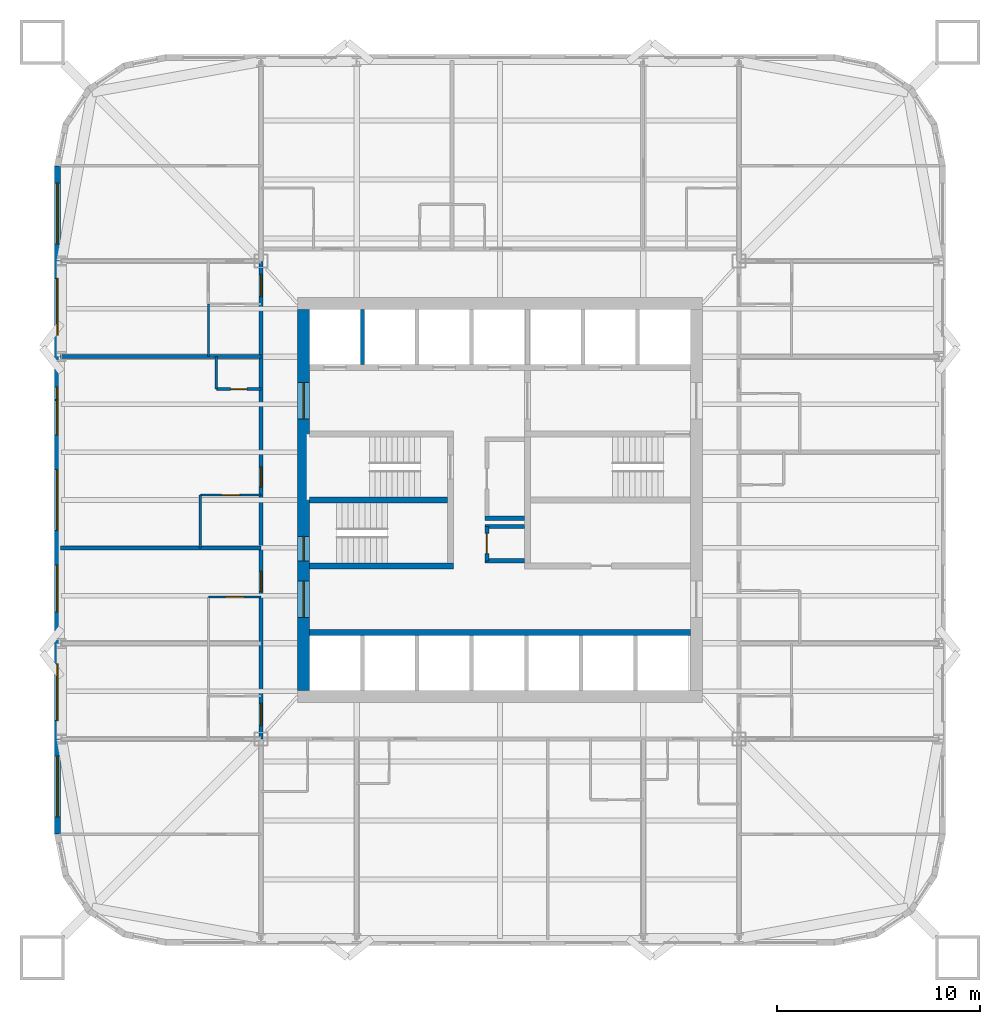
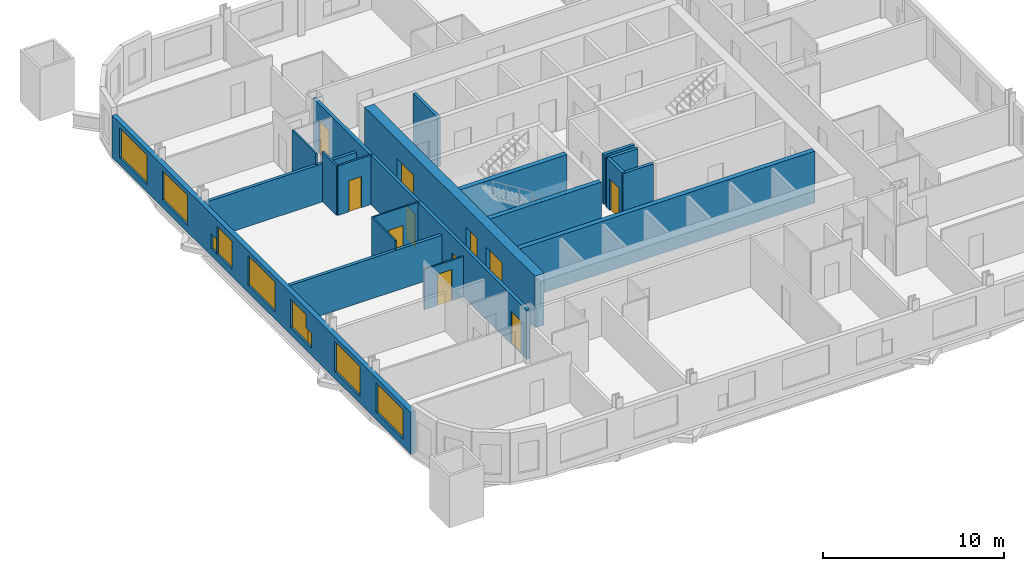
# One storey, part 4 of 10: 19 walls, 11 doors, 9 windows, 20 openings.
"""IFC4 building model written with IfcOpenShell, lengths in metres."""

from ifc_helpers import new_model, si_unit, direction, frame, frame_2d, origin, place, context, subcontext, project, spatial, rectangle, extrude, material, layer, layer_set, type_object, element, fill, save


model = new_model("IFC4")

# Units and contexts
model_context = context("Model", 3, precision=1e-05, world=origin(), true_north=direction((0.0, 1.0)))
body_context = subcontext(model_context, "Body", "Model", "MODEL_VIEW")
ifc_project = project(units=[si_unit("LENGTHUNIT", "METRE"), si_unit("AREAUNIT", "SQUARE_METRE"), si_unit("VOLUMEUNIT", "CUBIC_METRE"), si_unit("PLANEANGLEUNIT", "RADIAN"), si_unit("MASSUNIT", "GRAM", prefix="KILO")], contexts=[model_context])

# Site, building, storey
site_placement = place(None, origin())
site = spatial("IfcSite", under=ifc_project, at=site_placement, CompositionType="ELEMENT")
building_placement = place(site_placement, origin())
building = spatial("IfcBuilding", under=site, at=building_placement, Name="Turquesa Mirador Hotel Tower", CompositionType="ELEMENT")
storey_placement = place(building_placement, frame((0.0, 0.0, 46.0)))
storey = spatial("IfcBuildingStorey", under=building, at=storey_placement, Name="L11", CompositionType="ELEMENT", Elevation=46.0)

# Wall, opening, door
ifc_material_1 = material(Name="Gypsum board on steel studs", Category="steel")
ifc_layer_1 = layer(ifc_material_1, 0.10009765625)
ifc_layer_set_1 = layer_set([ifc_layer_1], Name="BATHROOM WALL 100")
wall_type_1 = type_object("IfcWallType", Name="BATHROOM WALL 100", PredefinedType="PARTITIONING", material=ifc_layer_set_1)
wall_1_placement = place(storey_placement, frame((40.60009765625, 40.219970703125, 0.0), z_axis=(0.0, 0.0, 1.0), x_axis=(1.0, 0.0, 0.0)))
wall_1 = element("IfcWall", 1, at=wall_1_placement, inside=storey, type_object=wall_type_1, Name="Partition L11 013", PredefinedType="PARTITIONING", context=body_context, shape_type="SweptSolid", body=[
    extrude(rectangle(XDim=2.599853515625, YDim=0.10009765625, at=frame_2d((1.2998046875, 0.0))), origin(), (0.0, 0.0, 1.0), 2.722900390625),
])
opening_1_placement = place(wall_1_placement, frame((0.85009765625, 0.0, 0.0)))
opening_1 = element("IfcOpeningElement", 2, at=opening_1_placement, cuts=wall_1, Name="Opening D02", PredefinedType="OPENING", context=body_context, shape_type="SweptSolid", body=[
    extrude(rectangle(XDim=0.89990234375, YDim=2.10009765625, at=frame_2d((0.449951171875, 1.050048828125))), frame((0.0, 0.06005859375, 0.0), z_axis=(0.0, -1.0, 0.0), x_axis=(1.0, 0.0, 0.0)), (0.0, 0.0, 1.0), 0.1201171875),
])
ifc_material_2 = material(Name="Timber veneered door", Category="wood")
door_type_1 = type_object("IfcDoorType", Name="DOOR 900X2100 EN-SUITE", OperationType="SINGLE_SWING_RIGHT", PredefinedType="DOOR", material=ifc_material_2)
door_1_placement = place(opening_1_placement, origin())
door_1 = element("IfcDoor", 3, at=door_1_placement, inside=storey, type_object=door_type_1, Name="Door 1108B", OperationType="SINGLE_SWING_RIGHT", OverallHeight=2.10009765625, OverallWidth=0.89990234375, PredefinedType="DOOR", context=body_context, shape_type="SweptSolid", body=[
    extrude(rectangle(XDim=0.89990234375, YDim=2.10009765625, at=frame_2d((0.449951171875, 1.050048828125))), frame((0.0, 0.02490234375, 0.0), z_axis=(0.0, -1.0, 0.0), x_axis=(1.0, 0.0, 0.0)), (0.0, 0.0, 1.0), 0.050048828125),
])
fill(opening_1, door_1)

wall_2_placement = place(storey_placement, frame((40.199951171875, 45.239990234375, 0.0), z_axis=(0.0, 0.0, 1.0), x_axis=(1.0, 0.0, 0.0)))
wall_2 = element("IfcWall", 4, at=wall_2_placement, inside=storey, type_object=wall_type_1, Name="Partition L11 018", PredefinedType="PARTITIONING", context=body_context, shape_type="SweptSolid", body=[
    extrude(rectangle(XDim=3.0, YDim=0.10009765625, at=frame_2d((1.5, 0.0))), origin(), (0.0, 0.0, 1.0), 3.330078125),
])
opening_2_placement = place(wall_2_placement, frame((1.050048828125, 0.0, 0.0)))
opening_2 = element("IfcOpeningElement", 5, at=opening_2_placement, cuts=wall_2, Name="Opening D02", PredefinedType="OPENING", context=body_context, shape_type="SweptSolid", body=[
    extrude(rectangle(XDim=0.89990234375, YDim=2.10009765625, at=frame_2d((0.449951171875, 1.050048828125))), frame((0.0, 0.06005859375, 0.0), z_axis=(0.0, -1.0, 0.0), x_axis=(1.0, 0.0, 0.0)), (0.0, 0.0, 1.0), 0.1201171875),
])
door_2_placement = place(opening_2_placement, origin())
door_2 = element("IfcDoor", 6, at=door_2_placement, inside=storey, type_object=door_type_1, Name="Door 1109B", OperationType="SINGLE_SWING_RIGHT", OverallHeight=2.10009765625, OverallWidth=0.89990234375, PredefinedType="DOOR", context=body_context, shape_type="SweptSolid", body=[
    extrude(rectangle(XDim=0.89990234375, YDim=2.10009765625, at=frame_2d((0.449951171875, 1.050048828125))), frame((0.0, 0.02490234375, 0.0), z_axis=(0.0, -1.0, 0.0), x_axis=(1.0, 0.0, 0.0)), (0.0, 0.0, 1.0), 0.050048828125),
])
fill(opening_2, door_2)

# Walls
wall_3_placement = place(storey_placement, frame((40.60009765625, 52.080078125, 0.0), z_axis=(0.0, 0.0, 1.0), x_axis=(0.0, 1.0, 0.0)))
element("IfcWall", 7, at=wall_3_placement, inside=storey, type_object=wall_type_1, Name="Partition L11 042", PredefinedType="PARTITIONING", context=body_context, shape_type="SweptSolid", body=[
    extrude(rectangle(XDim=2.599853515625, YDim=0.10009765625, at=frame_2d((1.2998046875, 0.0))), origin(), (0.0, 0.0, 1.0), 3.330078125),
])
wall_4_placement = place(storey_placement, frame((40.199951171875, 42.639892578125, 0.0), z_axis=(0.0, 0.0, 1.0), x_axis=(0.0, 1.0, 0.0)))
element("IfcWall", 8, at=wall_4_placement, inside=storey, type_object=wall_type_1, Name="Partition L11 045", PredefinedType="PARTITIONING", context=body_context, shape_type="SweptSolid", body=[
    extrude(rectangle(XDim=2.60009765625, YDim=0.10009765625, at=frame_2d((1.300048828125, 0.0))), origin(), (0.0, 0.0, 1.0), 3.330078125),
])
ifc_material_3 = material(Name="Concrete C50/60", Category="concrete")
ifc_layer_2 = layer(ifc_material_3, 0.300048828125)
ifc_layer_set_2 = layer_set([ifc_layer_2], Name="CORE INNER WALL 300")
wall_type_2 = type_object("IfcWallType", Name="CORE INNER WALL 300", PredefinedType="SHEAR", material=ifc_layer_set_2)
wall_5_placement = place(storey_placement, frame((45.60009765625, 38.449951171875, 0.0), z_axis=(0.0, 0.0, 1.0), x_axis=(1.0, 0.0, 0.0)))
element("IfcWall", 9, at=wall_5_placement, inside=storey, type_object=wall_type_2, Name="Core wall SL", PredefinedType="SHEAR", context=body_context, shape_type="SweptSolid", body=[
    extrude(rectangle(XDim=18.7998046875, YDim=0.300048828125, at=frame_2d((9.39990234375, 0.0))), origin(), (0.0, 0.0, 1.0), 3.5),
])
wall_6_placement = place(storey_placement, frame((45.60009765625, 41.75, 0.0), z_axis=(0.0, 0.0, 1.0), x_axis=(1.0, 0.0, 0.0)))
element("IfcWall", 10, at=wall_6_placement, inside=storey, type_object=wall_type_2, Name="Core wall MS-W", PredefinedType="SHEAR", context=body_context, shape_type="SweptSolid", body=[
    extrude(rectangle(XDim=7.099853515625, YDim=0.300048828125, at=frame_2d((3.5498046875, 0.0))), origin(), (0.0, 0.0, 1.0), 3.5),
])
wall_7_placement = place(storey_placement, frame((45.60009765625, 45.0, 0.0), z_axis=(0.0, 0.0, 1.0), x_axis=(1.0, 0.0, 0.0)))
element("IfcWall", 11, at=wall_7_placement, inside=storey, type_object=wall_type_2, Name="Core wall M0-W", PredefinedType="SHEAR", context=body_context, shape_type="SweptSolid", body=[
    extrude(rectangle(XDim=6.7998046875, YDim=0.300048828125, at=frame_2d((3.39990234375, 0.0))), origin(), (0.0, 0.0, 1.0), 3.5),
])

# Wall, openings, doors
ifc_material_4 = material(Name="Concrete C50/60", Category="concrete")
ifc_layer_3 = layer(ifc_material_4, 0.60009765625)
ifc_layer_set_3 = layer_set([ifc_layer_3], Name="CORE WALL 600")
wall_type_3 = type_object("IfcWallType", Name="CORE WALL 600", PredefinedType="SHEAR", material=ifc_layer_set_3)
wall_8_placement = place(storey_placement, frame((45.300048828125, 35.60009765625, 0.0), z_axis=(0.0, 0.0, 1.0), x_axis=(0.0, 1.0, 0.0)))
wall_8 = element("IfcWall", 12, at=wall_8_placement, inside=storey, type_object=wall_type_3, Name="Core wall W", PredefinedType="SHEAR", context=body_context, shape_type="SweptSolid", body=[
    extrude(rectangle(XDim=18.7998046875, YDim=0.60009765625, at=frame_2d((9.39990234375, 0.0))), origin(), (0.0, 0.0, 1.0), 3.5),
])
opening_3_placement = place(wall_8_placement, frame((13.39990234375, 0.0, 0.0)))
opening_3 = element("IfcOpeningElement", 13, at=opening_3_placement, cuts=wall_8, Name="Opening D04", PredefinedType="OPENING", context=body_context, shape_type="SweptSolid", body=[
    extrude(rectangle(XDim=1.800048828125, YDim=2.199951171875, at=frame_2d((0.89990234375, 1.10009765625))), frame((0.0, 0.31005859375, 0.0), z_axis=(0.0, -1.0, 0.0), x_axis=(1.0, 0.0, 0.0)), (0.0, 0.0, 1.0), 0.6201171875),
])
opening_4_placement = place(wall_8_placement, frame((3.60009765625, 0.0, 0.0)))
opening_4 = element("IfcOpeningElement", 14, at=opening_4_placement, cuts=wall_8, Name="Opening D04", PredefinedType="OPENING", context=body_context, shape_type="SweptSolid", body=[
    extrude(rectangle(XDim=1.800048828125, YDim=2.199951171875, at=frame_2d((0.89990234375, 1.10009765625))), frame((0.0, 0.31005859375, 0.0), z_axis=(0.0, -1.0, 0.0), x_axis=(1.0, 0.0, 0.0)), (0.0, 0.0, 1.0), 0.6201171875),
])
opening_5_placement = place(wall_8_placement, frame((6.39990234375, 0.0, 0.0)))
opening_5 = element("IfcOpeningElement", 15, at=opening_5_placement, cuts=wall_8, Name="Opening D03", PredefinedType="OPENING", context=body_context, shape_type="SweptSolid", body=[
    extrude(rectangle(XDim=1.199951171875, YDim=2.199951171875, at=frame_2d((0.60009765625, 1.10009765625))), frame((0.0, 0.31005859375, 0.0), z_axis=(0.0, -1.0, 0.0), x_axis=(1.0, 0.0, 0.0)), (0.0, 0.0, 1.0), 0.6201171875),
])
ifc_material_5 = material(Name="Steel fire door", Category="steel")
door_type_2 = type_object("IfcDoorType", Name="DOOR 1200X2200 STAIR", OperationType="SINGLE_SWING_LEFT", PredefinedType="DOOR", material=ifc_material_5)
door_3_placement = place(opening_5_placement, origin())
door_3 = element("IfcDoor", 16, at=door_3_placement, inside=storey, type_object=door_type_2, Name="Stair ST2 door", OperationType="SINGLE_SWING_LEFT", OverallHeight=2.199951171875, OverallWidth=1.199951171875, PredefinedType="DOOR", context=body_context, shape_type="SweptSolid", body=[
    extrude(rectangle(XDim=1.199951171875, YDim=2.199951171875, at=frame_2d((0.60009765625, 1.10009765625))), frame((0.0, 0.02490234375, 0.0), z_axis=(0.0, -1.0, 0.0), x_axis=(1.0, 0.0, 0.0)), (0.0, 0.0, 1.0), 0.050048828125),
])
fill(opening_5, door_3)
ifc_material_6 = material(Name="Steel fire door pair", Category="steel")
door_type_3 = type_object("IfcDoorType", Name="DOOR 1800X2200 PAIR", OperationType="DOUBLE_DOOR_SINGLE_SWING", PredefinedType="DOOR", material=ifc_material_6)
door_4_placement = place(opening_3_placement, origin())
door_4 = element("IfcDoor", 17, at=door_4_placement, inside=storey, type_object=door_type_3, Name="North lift lobby door", OperationType="DOUBLE_DOOR_SINGLE_SWING", OverallHeight=2.199951171875, OverallWidth=1.800048828125, PredefinedType="DOOR", context=body_context, shape_type="SweptSolid", body=[
    extrude(rectangle(XDim=1.800048828125, YDim=2.199951171875, at=frame_2d((0.89990234375, 1.10009765625))), frame((0.0, 0.02490234375, 0.0), z_axis=(0.0, -1.0, 0.0), x_axis=(1.0, 0.0, 0.0)), (0.0, 0.0, 1.0), 0.050048828125),
])
fill(opening_3, door_4)
door_5_placement = place(opening_4_placement, origin())
door_5 = element("IfcDoor", 18, at=door_5_placement, inside=storey, type_object=door_type_3, Name="South lift lobby door", OperationType="DOUBLE_DOOR_SINGLE_SWING", OverallHeight=2.199951171875, OverallWidth=1.800048828125, PredefinedType="DOOR", context=body_context, shape_type="SweptSolid", body=[
    extrude(rectangle(XDim=1.800048828125, YDim=2.199951171875, at=frame_2d((0.89990234375, 1.10009765625))), frame((0.0, 0.02490234375, 0.0), z_axis=(0.0, -1.0, 0.0), x_axis=(1.0, 0.0, 0.0)), (0.0, 0.0, 1.0), 0.050048828125),
])
fill(opening_4, door_5)

ifc_material_7 = material(Name="Fire-rated gypsum board on steel studs", Category="steel")
ifc_layer_4 = layer(ifc_material_7, 0.199951171875)
ifc_layer_set_4 = layer_set([ifc_layer_4], Name="CORRIDOR WALL 200")
wall_type_4 = type_object("IfcWallType", Name="CORRIDOR WALL 200", PredefinedType="PARTITIONING", material=ifc_layer_set_4)
wall_9_placement = place(storey_placement, frame((43.199951171875, 33.199951171875, 0.0), z_axis=(0.0, 0.0, 1.0), x_axis=(0.0, 1.0, 0.0)))
wall_9 = element("IfcWall", 19, at=wall_9_placement, inside=storey, type_object=wall_type_4, Name="Partition L11 037", PredefinedType="PARTITIONING", context=body_context, shape_type="SweptSolid", body=[
    extrude(rectangle(XDim=23.580078125, YDim=0.199951171875, at=frame_2d((11.7900390625, 0.0))), origin(), (0.0, 0.0, 1.0), 3.330078125),
])
opening_6_placement = place(wall_9_placement, frame((7.27001953125, 0.0, 0.0)))
opening_6 = element("IfcOpeningElement", 20, at=opening_6_placement, cuts=wall_9, Name="Opening D01", PredefinedType="OPENING", context=body_context, shape_type="SweptSolid", body=[
    extrude(rectangle(XDim=1.0, YDim=2.199951171875, at=frame_2d((0.5, 1.10009765625))), frame((0.0, 0.10986328125, 0.0), z_axis=(0.0, -1.0, 0.0), x_axis=(1.0, 0.0, 0.0)), (0.0, 0.0, 1.0), 0.219970703125),
])
opening_7_placement = place(wall_9_placement, frame((12.43994140625, 0.0, 0.0)))
opening_7 = element("IfcOpeningElement", 21, at=opening_7_placement, cuts=wall_9, Name="Opening D01", PredefinedType="OPENING", context=body_context, shape_type="SweptSolid", body=[
    extrude(rectangle(XDim=1.0, YDim=2.199951171875, at=frame_2d((0.5, 1.10009765625))), frame((0.0, 0.10986328125, 0.0), z_axis=(0.0, -1.0, 0.0), x_axis=(1.0, 0.0, 0.0)), (0.0, 0.0, 1.0), 0.219970703125),
])
opening_8_placement = place(wall_9_placement, frame((21.840087890625, 0.0, 0.0)))
opening_8 = element("IfcOpeningElement", 22, at=opening_8_placement, cuts=wall_9, Name="Opening D15", PredefinedType="OPENING", context=body_context, shape_type="SweptSolid", body=[
    extrude(rectangle(XDim=1.10009765625, YDim=2.199951171875, at=frame_2d((0.550048828125, 1.10009765625))), frame((0.0, 0.10986328125, 0.0), z_axis=(0.0, -1.0, 0.0), x_axis=(1.0, 0.0, 0.0)), (0.0, 0.0, 1.0), 0.219970703125),
])
opening_9_placement = place(wall_9_placement, frame((0.659912109375, 0.0, 0.0)))
opening_9 = element("IfcOpeningElement", 23, at=opening_9_placement, cuts=wall_9, Name="Opening D15", PredefinedType="OPENING", context=body_context, shape_type="SweptSolid", body=[
    extrude(rectangle(XDim=1.10009765625, YDim=2.199951171875, at=frame_2d((0.550048828125, 1.10009765625))), frame((0.0, 0.10986328125, 0.0), z_axis=(0.0, -1.0, 0.0), x_axis=(1.0, 0.0, 0.0)), (0.0, 0.0, 1.0), 0.219970703125),
])
ifc_material_8 = material(Name="Timber veneered fire door", Category="wood")
door_type_4 = type_object("IfcDoorType", Name="DOOR 1000X2200 GUEST ENTRY", OperationType="SINGLE_SWING_LEFT", PredefinedType="DOOR", material=ifc_material_8)
door_6_placement = place(opening_6_placement, origin())
door_6 = element("IfcDoor", 24, at=door_6_placement, inside=storey, type_object=door_type_4, Name="Door 1108", OperationType="SINGLE_SWING_LEFT", OverallHeight=2.199951171875, OverallWidth=1.0, PredefinedType="DOOR", context=body_context, shape_type="SweptSolid", body=[
    extrude(rectangle(XDim=1.0, YDim=2.199951171875, at=frame_2d((0.5, 1.10009765625))), frame((0.0, 0.02490234375, 0.0), z_axis=(0.0, -1.0, 0.0), x_axis=(1.0, 0.0, 0.0)), (0.0, 0.0, 1.0), 0.050048828125),
])
fill(opening_6, door_6)
door_7_placement = place(opening_7_placement, origin())
door_7 = element("IfcDoor", 25, at=door_7_placement, inside=storey, type_object=door_type_4, Name="Door 1109", OperationType="SINGLE_SWING_LEFT", OverallHeight=2.199951171875, OverallWidth=1.0, PredefinedType="DOOR", context=body_context, shape_type="SweptSolid", body=[
    extrude(rectangle(XDim=1.0, YDim=2.199951171875, at=frame_2d((0.5, 1.10009765625))), frame((0.0, 0.02490234375, 0.0), z_axis=(0.0, -1.0, 0.0), x_axis=(1.0, 0.0, 0.0)), (0.0, 0.0, 1.0), 0.050048828125),
])
fill(opening_7, door_7)
ifc_material_9 = material(Name="Timber veneered fire door", Category="wood")
door_type_5 = type_object("IfcDoorType", Name="DOOR 1100X2200 SUITE ENTRY", OperationType="SINGLE_SWING_LEFT", PredefinedType="DOOR", material=ifc_material_9)
door_8_placement = place(opening_8_placement, origin())
door_8 = element("IfcDoor", 26, at=door_8_placement, inside=storey, type_object=door_type_5, Name="Door 1111H", OperationType="SINGLE_SWING_LEFT", OverallHeight=2.199951171875, OverallWidth=1.10009765625, PredefinedType="DOOR", context=body_context, shape_type="SweptSolid", body=[
    extrude(rectangle(XDim=1.10009765625, YDim=2.199951171875, at=frame_2d((0.550048828125, 1.10009765625))), frame((0.0, 0.02490234375, 0.0), z_axis=(0.0, -1.0, 0.0), x_axis=(1.0, 0.0, 0.0)), (0.0, 0.0, 1.0), 0.050048828125),
])
fill(opening_8, door_8)
door_9_placement = place(opening_9_placement, origin())
door_9 = element("IfcDoor", 27, at=door_9_placement, inside=storey, type_object=door_type_5, Name="Door 1112H", OperationType="SINGLE_SWING_LEFT", OverallHeight=2.199951171875, OverallWidth=1.10009765625, PredefinedType="DOOR", context=body_context, shape_type="SweptSolid", body=[
    extrude(rectangle(XDim=1.10009765625, YDim=2.199951171875, at=frame_2d((0.550048828125, 1.10009765625))), frame((0.0, 0.02490234375, 0.0), z_axis=(0.0, -1.0, 0.0), x_axis=(1.0, 0.0, 0.0)), (0.0, 0.0, 1.0), 0.050048828125),
])
fill(opening_9, door_9)

# Wall, openings, windows
ifc_material_10 = material(Name="Limestone cladding on concrete block", Category="masonry")
ifc_layer_5 = layer(ifc_material_10, 0.300048828125)
ifc_layer_set_5 = layer_set([ifc_layer_5], Name="FACADE WALL 300 STONE SCREEN")
wall_type_5 = type_object("IfcWallType", Name="FACADE WALL 300 STONE SCREEN", PredefinedType="SOLIDWALL", material=ifc_layer_set_5)
wall_10_placement = place(storey_placement, frame((33.14990234375, 61.5, 0.0), z_axis=(0.0, 0.0, 1.0), x_axis=(0.0, -1.0, 0.0)))
wall_10 = element("IfcWall", 28, at=wall_10_placement, inside=storey, type_object=wall_type_5, Name="Facade wall L11 14", PredefinedType="SOLIDWALL", context=body_context, shape_type="SweptSolid", body=[
    extrude(rectangle(XDim=33.0, YDim=0.300048828125, at=frame_2d((16.5, 0.0))), origin(), (0.0, 0.0, 1.0), 2.830078125),
])
opening_10_placement = place(wall_10_placement, frame((0.85009765625, 0.0, 0.5)))
opening_10 = element("IfcOpeningElement", 29, at=opening_10_placement, cuts=wall_10, Name="Opening WN1", PredefinedType="OPENING", context=body_context, shape_type="SweptSolid", body=[
    extrude(rectangle(XDim=3.0, YDim=2.0, at=frame_2d((1.5, 1.0))), frame((0.0, 0.159912109375, 0.0), z_axis=(0.0, -1.0, 0.0), x_axis=(1.0, 0.0, 0.0)), (0.0, 0.0, 1.0), 0.320068359375),
])
opening_11_placement = place(wall_10_placement, frame((5.56005859375, 0.0, 0.5)))
opening_11 = element("IfcOpeningElement", 30, at=opening_11_placement, cuts=wall_10, Name="Opening WN53", PredefinedType="OPENING", context=body_context, shape_type="SweptSolid", body=[
    extrude(rectangle(XDim=2.800048828125, YDim=2.0, at=frame_2d((1.39990234375, 1.0))), frame((0.0, 0.159912109375, 0.0), z_axis=(0.0, -1.0, 0.0), x_axis=(1.0, 0.0, 0.0)), (0.0, 0.0, 1.0), 0.320068359375),
])
opening_12_placement = place(wall_10_placement, frame((11.580078125, 0.0, 0.5)))
opening_12 = element("IfcOpeningElement", 31, at=opening_12_placement, cuts=wall_10, Name="Opening WN46", PredefinedType="OPENING", context=body_context, shape_type="SweptSolid", body=[
    extrude(rectangle(XDim=1.699951171875, YDim=1.89990234375, at=frame_2d((0.85009765625, 0.949951171875))), frame((0.0, 0.159912109375, 0.0), z_axis=(0.0, -1.0, 0.0), x_axis=(1.0, 0.0, 0.0)), (0.0, 0.0, 1.0), 0.320068359375),
])
opening_13_placement = place(wall_10_placement, frame((15.0, 0.0, 0.5)))
opening_13 = element("IfcOpeningElement", 32, at=opening_13_placement, cuts=wall_10, Name="Opening WN1", PredefinedType="OPENING", context=body_context, shape_type="SweptSolid", body=[
    extrude(rectangle(XDim=3.0, YDim=2.0, at=frame_2d((1.5, 1.0))), frame((0.0, 0.159912109375, 0.0), z_axis=(0.0, -1.0, 0.0), x_axis=(1.0, 0.0, 0.0)), (0.0, 0.0, 1.0), 0.320068359375),
])
opening_14_placement = place(wall_10_placement, frame((19.719970703125, 0.0, 0.5)))
opening_14 = element("IfcOpeningElement", 33, at=opening_14_placement, cuts=wall_10, Name="Opening WN46", PredefinedType="OPENING", context=body_context, shape_type="SweptSolid", body=[
    extrude(rectangle(XDim=1.699951171875, YDim=1.89990234375, at=frame_2d((0.85009765625, 0.949951171875))), frame((0.0, 0.159912109375, 0.0), z_axis=(0.0, -1.0, 0.0), x_axis=(1.0, 0.0, 0.0)), (0.0, 0.0, 1.0), 0.320068359375),
])
opening_15_placement = place(wall_10_placement, frame((24.590087890625, 0.0, 0.5)))
opening_15 = element("IfcOpeningElement", 34, at=opening_15_placement, cuts=wall_10, Name="Opening WN53", PredefinedType="OPENING", context=body_context, shape_type="SweptSolid", body=[
    extrude(rectangle(XDim=2.800048828125, YDim=2.0, at=frame_2d((1.39990234375, 1.0))), frame((0.0, 0.159912109375, 0.0), z_axis=(0.0, -1.0, 0.0), x_axis=(1.0, 0.0, 0.0)), (0.0, 0.0, 1.0), 0.320068359375),
])
opening_16_placement = place(wall_10_placement, frame((29.14990234375, 0.0, 0.5)))
opening_16 = element("IfcOpeningElement", 35, at=opening_16_placement, cuts=wall_10, Name="Opening WN1", PredefinedType="OPENING", context=body_context, shape_type="SweptSolid", body=[
    extrude(rectangle(XDim=3.0, YDim=2.0, at=frame_2d((1.5, 1.0))), frame((0.0, 0.159912109375, 0.0), z_axis=(0.0, -1.0, 0.0), x_axis=(1.0, 0.0, 0.0)), (0.0, 0.0, 1.0), 0.320068359375),
])
opening_17_placement = place(wall_10_placement, frame((10.929931640625, 0.0, 0.5)))
opening_17 = element("IfcOpeningElement", 36, at=opening_17_placement, cuts=wall_10, Name="Opening WN29", PredefinedType="OPENING", context=body_context, shape_type="SweptSolid", body=[
    extrude(rectangle(XDim=0.60009765625, YDim=1.0, at=frame_2d((0.300048828125, 0.5))), frame((0.0, 0.159912109375, 0.0), z_axis=(0.0, -1.0, 0.0), x_axis=(1.0, 0.0, 0.0)), (0.0, 0.0, 1.0), 0.320068359375),
])
opening_18_placement = place(wall_10_placement, frame((21.419921875, 0.0, 0.5)))
opening_18 = element("IfcOpeningElement", 37, at=opening_18_placement, cuts=wall_10, Name="Opening WN29", PredefinedType="OPENING", context=body_context, shape_type="SweptSolid", body=[
    extrude(rectangle(XDim=0.60009765625, YDim=1.0, at=frame_2d((0.300048828125, 0.5))), frame((0.0, 0.159912109375, 0.0), z_axis=(0.0, -1.0, 0.0), x_axis=(1.0, 0.0, 0.0)), (0.0, 0.0, 1.0), 0.320068359375),
])
ifc_material_11 = material(Name="Ceramic-fritted laminated glass", Category="glass")
window_type_1 = type_object("IfcWindowType", Name="FRITTED WINDOW 1700X1900", PartitioningType="DOUBLE_PANEL_HORIZONTAL", PredefinedType="WINDOW", material=ifc_material_11)
window_1_placement = place(opening_12_placement, origin())
window_1 = element("IfcWindow", 38, at=window_1_placement, inside=storey, type_object=window_type_1, Name="Window L11", OverallHeight=1.89990234375, OverallWidth=1.699951171875, PartitioningType="SINGLE_PANEL", PredefinedType="WINDOW", context=body_context, shape_type="SweptSolid", body=[
    extrude(rectangle(XDim=1.699951171875, YDim=1.89990234375, at=frame_2d((0.85009765625, 0.949951171875))), frame((0.0, 0.030029296875, 0.0), z_axis=(0.0, -1.0, 0.0), x_axis=(1.0, 0.0, 0.0)), (0.0, 0.0, 1.0), 0.06005859375),
])
fill(opening_12, window_1)
window_2_placement = place(opening_14_placement, origin())
window_2 = element("IfcWindow", 39, at=window_2_placement, inside=storey, type_object=window_type_1, Name="Window L11", OverallHeight=1.89990234375, OverallWidth=1.699951171875, PartitioningType="SINGLE_PANEL", PredefinedType="WINDOW", context=body_context, shape_type="SweptSolid", body=[
    extrude(rectangle(XDim=1.699951171875, YDim=1.89990234375, at=frame_2d((0.85009765625, 0.949951171875))), frame((0.0, 0.030029296875, 0.0), z_axis=(0.0, -1.0, 0.0), x_axis=(1.0, 0.0, 0.0)), (0.0, 0.0, 1.0), 0.06005859375),
])
fill(opening_14, window_2)
ifc_material_12 = material(Name="Ceramic-fritted laminated glass", Category="glass")
window_type_2 = type_object("IfcWindowType", Name="FRITTED WINDOW 2800X2000", PartitioningType="DOUBLE_PANEL_HORIZONTAL", PredefinedType="WINDOW", material=ifc_material_12)
window_3_placement = place(opening_11_placement, origin())
window_3 = element("IfcWindow", 40, at=window_3_placement, inside=storey, type_object=window_type_2, Name="Window L11", OverallHeight=2.0, OverallWidth=2.800048828125, PartitioningType="SINGLE_PANEL", PredefinedType="WINDOW", context=body_context, shape_type="SweptSolid", body=[
    extrude(rectangle(XDim=2.800048828125, YDim=2.0, at=frame_2d((1.39990234375, 1.0))), frame((0.0, 0.030029296875, 0.0), z_axis=(0.0, -1.0, 0.0), x_axis=(1.0, 0.0, 0.0)), (0.0, 0.0, 1.0), 0.06005859375),
])
fill(opening_11, window_3)
window_4_placement = place(opening_15_placement, origin())
window_4 = element("IfcWindow", 41, at=window_4_placement, inside=storey, type_object=window_type_2, Name="Window L11", OverallHeight=2.0, OverallWidth=2.800048828125, PartitioningType="SINGLE_PANEL", PredefinedType="WINDOW", context=body_context, shape_type="SweptSolid", body=[
    extrude(rectangle(XDim=2.800048828125, YDim=2.0, at=frame_2d((1.39990234375, 1.0))), frame((0.0, 0.030029296875, 0.0), z_axis=(0.0, -1.0, 0.0), x_axis=(1.0, 0.0, 0.0)), (0.0, 0.0, 1.0), 0.06005859375),
])
fill(opening_15, window_4)
ifc_material_13 = material(Name="Ceramic-fritted laminated glass", Category="glass")
window_type_3 = type_object("IfcWindowType", Name="FRITTED WINDOW 3000X2000", PartitioningType="DOUBLE_PANEL_HORIZONTAL", PredefinedType="WINDOW", material=ifc_material_13)
window_5_placement = place(opening_10_placement, origin())
window_5 = element("IfcWindow", 42, at=window_5_placement, inside=storey, type_object=window_type_3, Name="Window L11", OverallHeight=2.0, OverallWidth=3.0, PartitioningType="SINGLE_PANEL", PredefinedType="WINDOW", context=body_context, shape_type="SweptSolid", body=[
    extrude(rectangle(XDim=3.0, YDim=2.0, at=frame_2d((1.5, 1.0))), frame((0.0, 0.030029296875, 0.0), z_axis=(0.0, -1.0, 0.0), x_axis=(1.0, 0.0, 0.0)), (0.0, 0.0, 1.0), 0.06005859375),
])
fill(opening_10, window_5)
window_6_placement = place(opening_13_placement, origin())
window_6 = element("IfcWindow", 43, at=window_6_placement, inside=storey, type_object=window_type_3, Name="Window L11", OverallHeight=2.0, OverallWidth=3.0, PartitioningType="SINGLE_PANEL", PredefinedType="WINDOW", context=body_context, shape_type="SweptSolid", body=[
    extrude(rectangle(XDim=3.0, YDim=2.0, at=frame_2d((1.5, 1.0))), frame((0.0, 0.030029296875, 0.0), z_axis=(0.0, -1.0, 0.0), x_axis=(1.0, 0.0, 0.0)), (0.0, 0.0, 1.0), 0.06005859375),
])
fill(opening_13, window_6)
window_7_placement = place(opening_16_placement, origin())
window_7 = element("IfcWindow", 44, at=window_7_placement, inside=storey, type_object=window_type_3, Name="Window L11", OverallHeight=2.0, OverallWidth=3.0, PartitioningType="SINGLE_PANEL", PredefinedType="WINDOW", context=body_context, shape_type="SweptSolid", body=[
    extrude(rectangle(XDim=3.0, YDim=2.0, at=frame_2d((1.5, 1.0))), frame((0.0, 0.030029296875, 0.0), z_axis=(0.0, -1.0, 0.0), x_axis=(1.0, 0.0, 0.0)), (0.0, 0.0, 1.0), 0.06005859375),
])
fill(opening_16, window_7)
ifc_material_14 = material(Name="Ceramic-fritted laminated glass", Category="glass")
window_type_4 = type_object("IfcWindowType", Name="FRITTED WINDOW 600X1000", PartitioningType="DOUBLE_PANEL_HORIZONTAL", PredefinedType="WINDOW", material=ifc_material_14)
window_8_placement = place(opening_17_placement, origin())
window_8 = element("IfcWindow", 45, at=window_8_placement, inside=storey, type_object=window_type_4, Name="Window L11", OverallHeight=1.0, OverallWidth=0.60009765625, PartitioningType="SINGLE_PANEL", PredefinedType="WINDOW", context=body_context, shape_type="SweptSolid", body=[
    extrude(rectangle(XDim=0.60009765625, YDim=1.0, at=frame_2d((0.300048828125, 0.5))), frame((0.0, 0.030029296875, 0.0), z_axis=(0.0, -1.0, 0.0), x_axis=(1.0, 0.0, 0.0)), (0.0, 0.0, 1.0), 0.06005859375),
])
fill(opening_17, window_8)
window_9_placement = place(opening_18_placement, origin())
window_9 = element("IfcWindow", 46, at=window_9_placement, inside=storey, type_object=window_type_4, Name="Window L11", OverallHeight=1.0, OverallWidth=0.60009765625, PartitioningType="SINGLE_PANEL", PredefinedType="WINDOW", context=body_context, shape_type="SweptSolid", body=[
    extrude(rectangle(XDim=0.60009765625, YDim=1.0, at=frame_2d((0.300048828125, 0.5))), frame((0.0, 0.030029296875, 0.0), z_axis=(0.0, -1.0, 0.0), x_axis=(1.0, 0.0, 0.0)), (0.0, 0.0, 1.0), 0.06005859375),
])
fill(opening_18, window_9)

# Wall, opening, door
ifc_material_15 = material(Name="Fire-rated gypsum board on steel studs", Category="steel")
ifc_layer_6 = layer(ifc_material_15, 0.199951171875)
ifc_layer_set_6 = layer_set([ifc_layer_6], Name="FIRE PARTITION 200")
wall_type_6 = type_object("IfcWallType", Name="FIRE PARTITION 200", PredefinedType="PARTITIONING", material=ifc_layer_set_6)
wall_11_placement = place(storey_placement, frame((54.35009765625, 42.0, 0.0), z_axis=(0.0, 0.0, 1.0), x_axis=(0.0, 1.0, 0.0)))
wall_11 = element("IfcWall", 47, at=wall_11_placement, inside=storey, type_object=wall_type_6, Name="Partition L11 SW W", PredefinedType="PARTITIONING", context=body_context, shape_type="SweptSolid", body=[
    extrude(rectangle(XDim=1.699951171875, YDim=0.199951171875, at=frame_2d((0.85009765625, 0.0))), origin(), (0.0, 0.0, 1.0), 3.330078125),
])
opening_19_placement = place(wall_11_placement, frame((0.35009765625, 0.0, 0.0)))
opening_19 = element("IfcOpeningElement", 48, at=opening_19_placement, cuts=wall_11, Name="Opening D05", PredefinedType="OPENING", context=body_context, shape_type="SweptSolid", body=[
    extrude(rectangle(XDim=1.0, YDim=2.10009765625, at=frame_2d((0.5, 1.050048828125))), frame((0.0, 0.10986328125, 0.0), z_axis=(0.0, -1.0, 0.0), x_axis=(1.0, 0.0, 0.0)), (0.0, 0.0, 1.0), 0.219970703125),
])
ifc_material_16 = material(Name="Steel fire door", Category="steel")
door_type_6 = type_object("IfcDoorType", Name="DOOR 1000X2100 SERVICE", OperationType="SINGLE_SWING_LEFT", PredefinedType="DOOR", material=ifc_material_16)
door_10_placement = place(opening_19_placement, origin())
door_10 = element("IfcDoor", 49, at=door_10_placement, inside=storey, type_object=door_type_6, Name="Staff WC door", OperationType="SINGLE_SWING_LEFT", OverallHeight=2.10009765625, OverallWidth=1.0, PredefinedType="DOOR", context=body_context, shape_type="SweptSolid", body=[
    extrude(rectangle(XDim=1.0, YDim=2.10009765625, at=frame_2d((0.5, 1.050048828125))), frame((0.0, 0.02490234375, 0.0), z_axis=(0.0, -1.0, 0.0), x_axis=(1.0, 0.0, 0.0)), (0.0, 0.0, 1.0), 0.050048828125),
])
fill(opening_19, door_10)

# Walls
for number, where, z_axis, x_axis, name in (
    (50, (54.25, 42.0, 0.0), (0.0, 0.0, 1.0), (1.0, 0.0, 0.0), "Partition L11 SW S"),
    (51, (54.25, 43.699951171875, 0.0), (0.0, 0.0, 1.0), (1.0, 0.0, 0.0), "Partition L11 SW N"),
    (52, (54.25, 44.10009765625, 0.0), (0.0, 0.0, 1.0), (1.0, 0.0, 0.0), "Partition L11 LG S"),
):
    element("IfcWall", number, at=place(storey_placement, frame(where, z_axis=z_axis, x_axis=x_axis)), inside=storey, type_object=wall_type_6, Name=name, PredefinedType="PARTITIONING", context=body_context, shape_type="SweptSolid", body=[
        extrude(rectangle(XDim=1.949951171875, YDim=0.199951171875, at=frame_2d((0.97509765625, 0.0))), origin(), (0.0, 0.0, 1.0), 3.330078125),
    ])
ifc_material_17 = material(Name="Fire-rated gypsum shaft wall on steel studs", Category="steel")
ifc_layer_7 = layer(ifc_material_17, 0.199951171875)
ifc_layer_set_7 = layer_set([ifc_layer_7], Name="LIFT SHAFT DIVIDER 200")
wall_type_7 = type_object("IfcWallType", Name="LIFT SHAFT DIVIDER 200", PredefinedType="PARTITIONING", material=ifc_layer_set_7)
wall_12_placement = place(storey_placement, frame((48.199951171875, 51.699951171875, 0.0), z_axis=(0.0, 0.0, 1.0), x_axis=(0.0, 1.0, 0.0)))
element("IfcWall", 53, at=wall_12_placement, inside=storey, type_object=wall_type_7, Name="Lift shaft divider", PredefinedType="PARTITIONING", context=body_context, shape_type="SweptSolid", body=[
    extrude(rectangle(XDim=2.699951171875, YDim=0.199951171875, at=frame_2d((1.35009765625, 0.0))), origin(), (0.0, 0.0, 1.0), 3.330078125),
])
ifc_material_18 = material(Name="Fire-rated gypsum board on steel studs", Category="steel")
ifc_layer_8 = layer(ifc_material_18, 0.199951171875)
ifc_layer_set_8 = layer_set([ifc_layer_8], Name="PARTY WALL 200")
wall_type_8 = type_object("IfcWallType", Name="PARTY WALL 200", PredefinedType="PARTITIONING", material=ifc_layer_set_8)
wall_13_placement = place(storey_placement, frame((33.300048828125, 42.639892578125, 0.0), z_axis=(0.0, 0.0, 1.0), x_axis=(1.0, 0.0, 0.0)))
element("IfcWall", 54, at=wall_13_placement, inside=storey, type_object=wall_type_8, Name="Partition L11 011", PredefinedType="PARTITIONING", context=body_context, shape_type="SweptSolid", body=[
    extrude(rectangle(XDim=9.89990234375, YDim=0.199951171875, at=frame_2d((4.949951171875, 0.0))), origin(), (0.0, 0.0, 1.0), 2.722900390625),
])
wall_14_placement = place(storey_placement, frame((33.300048828125, 52.080078125, 0.0), z_axis=(0.0, 0.0, 1.0), x_axis=(1.0, 0.0, 0.0)))
element("IfcWall", 55, at=wall_14_placement, inside=storey, type_object=wall_type_8, Name="Partition L11 032", PredefinedType="PARTITIONING", context=body_context, shape_type="SweptSolid", body=[
    extrude(rectangle(XDim=9.89990234375, YDim=0.199951171875, at=frame_2d((4.949951171875, 0.0))), origin(), (0.0, 0.0, 1.0), 2.572998046875),
])

# Wall, opening, door
ifc_material_19 = material(Name="Acoustic gypsum board on steel studs", Category="steel")
ifc_layer_9 = layer(ifc_material_19, 0.125)
ifc_layer_set_9 = layer_set([ifc_layer_9], Name="SUITE PARTITION 125")
wall_type_9 = type_object("IfcWallType", Name="SUITE PARTITION 125", PredefinedType="PARTITIONING", material=ifc_layer_set_9)
wall_15_placement = place(storey_placement, frame((41.0, 50.47998046875, 0.0), z_axis=(0.0, 0.0, 1.0), x_axis=(1.0, 0.0, 0.0)))
wall_15 = element("IfcWall", 56, at=wall_15_placement, inside=storey, type_object=wall_type_9, Name="Partition L11 031", PredefinedType="PARTITIONING", context=body_context, shape_type="SweptSolid", body=[
    extrude(rectangle(XDim=2.199951171875, YDim=0.125, at=frame_2d((1.10009765625, 0.0))), origin(), (0.0, 0.0, 1.0), 3.330078125),
])
opening_20_placement = place(wall_15_placement, frame((0.699951171875, 0.0, 0.0)))
opening_20 = element("IfcOpeningElement", 57, at=opening_20_placement, cuts=wall_15, Name="Opening D20", PredefinedType="OPENING", context=body_context, shape_type="SweptSolid", body=[
    extrude(rectangle(XDim=0.800048828125, YDim=2.10009765625, at=frame_2d((0.39990234375, 1.050048828125))), frame((0.0, 0.072509765625, 0.0), z_axis=(0.0, -1.0, 0.0), x_axis=(1.0, 0.0, 0.0)), (0.0, 0.0, 1.0), 0.14501953125),
])
ifc_material_20 = material(Name="Timber veneered sliding door", Category="wood")
door_type_7 = type_object("IfcDoorType", Name="DOOR 800X2100 WARDROBE", OperationType="SLIDING_TO_LEFT", PredefinedType="DOOR", material=ifc_material_20)
door_11_placement = place(opening_20_placement, origin())
door_11 = element("IfcDoor", 58, at=door_11_placement, inside=storey, type_object=door_type_7, Name="Door 1109W", OperationType="SLIDING_TO_LEFT", OverallHeight=2.10009765625, OverallWidth=0.800048828125, PredefinedType="DOOR", context=body_context, shape_type="SweptSolid", body=[
    extrude(rectangle(XDim=0.800048828125, YDim=2.10009765625, at=frame_2d((0.39990234375, 1.050048828125))), frame((0.0, 0.02490234375, 0.0), z_axis=(0.0, -1.0, 0.0), x_axis=(1.0, 0.0, 0.0)), (0.0, 0.0, 1.0), 0.050048828125),
])
fill(opening_20, door_11)

# Wall
wall_16_placement = place(storey_placement, frame((41.0, 50.47998046875, 0.0), z_axis=(0.0, 0.0, 1.0), x_axis=(0.0, 1.0, 0.0)))
element("IfcWall", 59, at=wall_16_placement, inside=storey, type_object=wall_type_9, Name="Partition L11 040", PredefinedType="PARTITIONING", context=body_context, shape_type="SweptSolid", body=[
    extrude(rectangle(XDim=1.60009765625, YDim=0.125, at=frame_2d((0.800048828125, 0.0))), origin(), (0.0, 0.0, 1.0), 3.330078125),
])

save(model, "model.ifc")
